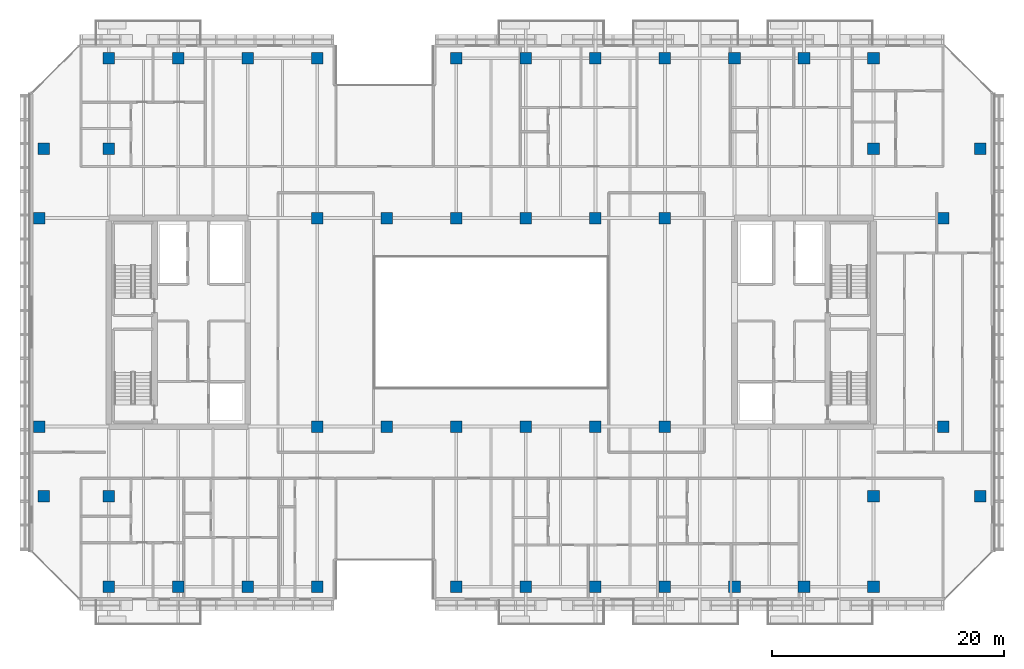
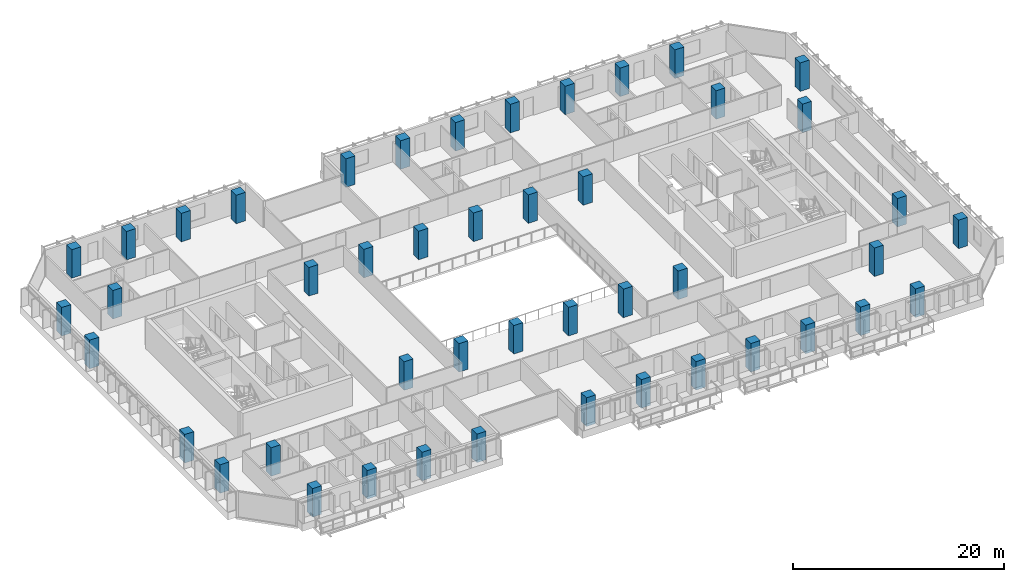
# One storey, part 1 of 35: 46 columns.
"""IFC4 building model written with IfcOpenShell, lengths in metres."""

from ifc_helpers import new_model, si_unit, direction, frame, origin, origin_2d, place, context, subcontext, project, spatial, rectangle, extrude, material, material_profile, profile_set, type_object, element, save


model = new_model("IFC4")

# Units and contexts
model_context = context("Model", 3, precision=1e-05, world=origin(), true_north=direction((0.0, 1.0)))
body_context = subcontext(model_context, "Body", "Model", "MODEL_VIEW")
ifc_project = project(units=[si_unit("LENGTHUNIT", "METRE"), si_unit("AREAUNIT", "SQUARE_METRE"), si_unit("VOLUMEUNIT", "CUBIC_METRE"), si_unit("PLANEANGLEUNIT", "RADIAN"), si_unit("MASSUNIT", "GRAM", prefix="KILO")], contexts=[model_context])

# Site, building, storey
site_placement = place(None, origin())
site = spatial("IfcSite", under=ifc_project, at=site_placement, CompositionType="ELEMENT")
building_placement = place(site_placement, origin())
building = spatial("IfcBuilding", under=site, at=building_placement, Name="Tanjung Sevakor Pilgrim Tower", CompositionType="ELEMENT")
storey_placement = place(building_placement, frame((0.0, 0.0, 92.070068359375)))
storey = spatial("IfcBuildingStorey", under=building, at=storey_placement, Name="L25", CompositionType="ELEMENT", Elevation=92.070068359375)

# Columns
ifc_material = material(Name="Concrete C60/75", Category="concrete")
ifc_material_profile = material_profile(ifc_material, rectangle(XDim=1.0, YDim=1.0, at=origin_2d()))
ifc_profile_set = profile_set([ifc_material_profile], Name="Concrete C60/75")
column_type = type_object("IfcColumnType", Name="COL-C-T1000-RC_1000x1000", PredefinedType="COLUMN", material=ifc_profile_set)
for number, where, z_axis, x_axis, name in (
    (1, (18.0, 24.60009765625, 0.0), (0.0, 0.0, 1.0), (1.0, 0.0, 0.0), "L25 Column SPW-018-246"),
    (2, (18.0, 42.60009765625, 0.0), (0.0, 0.0, 1.0), (1.0, 0.0, 0.0), "L25 Column SPW-018-426"),
    (3, (42.0, 24.60009765625, 0.0), (0.0, 0.0, 1.0), (1.0, 0.0, 0.0), "L25 Column SPW-042-246"),
    (4, (42.0, 42.60009765625, 0.0), (0.0, 0.0, 1.0), (1.0, 0.0, 0.0), "L25 Column SPW-042-426"),
    (5, (48.0, 24.60009765625, 0.0), (0.0, 0.0, 1.0), (1.0, 0.0, 0.0), "L25 Column SPW-048-246"),
    (6, (48.0, 42.60009765625, 0.0), (0.0, 0.0, 1.0), (1.0, 0.0, 0.0), "L25 Column SPW-048-426"),
    (7, (54.0, 24.60009765625, 0.0), (0.0, 0.0, 1.0), (1.0, 0.0, 0.0), "L25 Column SPE-054-246"),
    (8, (54.0, 42.60009765625, 0.0), (0.0, 0.0, 1.0), (1.0, 0.0, 0.0), "L25 Column SPE-054-426"),
    (9, (60.0, 24.60009765625, 0.0), (0.0, 0.0, 1.0), (1.0, 0.0, 0.0), "L25 Column SPE-060-246"),
    (10, (60.0, 42.60009765625, 0.0), (0.0, 0.0, 1.0), (1.0, 0.0, 0.0), "L25 Column SPE-060-426"),
    (11, (66.0, 24.60009765625, 0.0), (0.0, 0.0, 1.0), (1.0, 0.0, 0.0), "L25 Column SPE-066-246"),
    (12, (66.0, 42.60009765625, 0.0), (0.0, 0.0, 1.0), (1.0, 0.0, 0.0), "L25 Column SPE-066-426"),
    (13, (72.0, 24.60009765625, 0.0), (0.0, 0.0, 1.0), (1.0, 0.0, 0.0), "L25 Column SPE-072-246"),
    (14, (72.0, 42.60009765625, 0.0), (0.0, 0.0, 1.0), (1.0, 0.0, 0.0), "L25 Column SPE-072-426"),
    (15, (96.0, 24.60009765625, 0.0), (0.0, 0.0, 1.0), (1.0, 0.0, 0.0), "L25 Column SPE-096-246"),
    (16, (96.0, 42.60009765625, 0.0), (0.0, 0.0, 1.0), (1.0, 0.0, 0.0), "L25 Column SPE-096-426"),
    (17, (18.39990234375, 18.60009765625, 0.0), (0.0, 0.0, 1.0), (1.0, 0.0, 0.0), "L25 Column TCE-0184-186"),
    (18, (18.39990234375, 48.60009765625, 0.0), (0.0, 0.0, 1.0), (1.0, 0.0, 0.0), "L25 Column TCE-0184-486"),
    (19, (24.0, 18.60009765625, 0.0), (0.0, 0.0, 1.0), (1.0, 0.0, 0.0), "L25 Column TCE-0240-186"),
    (20, (24.0, 48.60009765625, 0.0), (0.0, 0.0, 1.0), (1.0, 0.0, 0.0), "L25 Column TCE-0240-486"),
    (21, (90.0, 18.60009765625, 0.0), (0.0, 0.0, 1.0), (1.0, 0.0, 0.0), "L25 Column TCE-0900-186"),
    (22, (90.0, 48.60009765625, 0.0), (0.0, 0.0, 1.0), (1.0, 0.0, 0.0), "L25 Column TCE-0900-486"),
    (23, (99.199951171875, 18.60009765625, 0.0), (0.0, 0.0, 1.0), (1.0, 0.0, 0.0), "L25 Column TCE-0992-186"),
    (24, (99.199951171875, 48.60009765625, 0.0), (0.0, 0.0, 1.0), (1.0, 0.0, 0.0), "L25 Column TCE-0992-486"),
    (25, (24.0, 10.800048828125, 0.0), (0.0, 0.0, 1.0), (1.0, 0.0, 0.0), "L25 Column TC2-024-108"),
    (26, (24.0, 56.39990234375, 0.0), (0.0, 0.0, 1.0), (1.0, 0.0, 0.0), "L25 Column TC2-024-564"),
    (27, (30.0, 10.800048828125, 0.0), (0.0, 0.0, 1.0), (1.0, 0.0, 0.0), "L25 Column TC2-030-108"),
    (28, (30.0, 56.39990234375, 0.0), (0.0, 0.0, 1.0), (1.0, 0.0, 0.0), "L25 Column TC2-030-564"),
    (29, (36.0, 10.800048828125, 0.0), (0.0, 0.0, 1.0), (1.0, 0.0, 0.0), "L25 Column TC2-036-108"),
    (30, (36.0, 56.39990234375, 0.0), (0.0, 0.0, 1.0), (1.0, 0.0, 0.0), "L25 Column TC2-036-564"),
    (31, (42.0, 10.800048828125, 0.0), (0.0, 0.0, 1.0), (1.0, 0.0, 0.0), "L25 Column TC2-042-108"),
    (32, (42.0, 56.39990234375, 0.0), (0.0, 0.0, 1.0), (1.0, 0.0, 0.0), "L25 Column TC2-042-564"),
    (33, (54.0, 10.800048828125, 0.0), (0.0, 0.0, 1.0), (1.0, 0.0, 0.0), "L25 Column TC2-054-108"),
    (34, (54.0, 56.39990234375, 0.0), (0.0, 0.0, 1.0), (1.0, 0.0, 0.0), "L25 Column TC2-054-564"),
    (35, (60.0, 10.800048828125, 0.0), (0.0, 0.0, 1.0), (1.0, 0.0, 0.0), "L25 Column TC2-060-108"),
    (36, (60.0, 56.39990234375, 0.0), (0.0, 0.0, 1.0), (1.0, 0.0, 0.0), "L25 Column TC2-060-564"),
    (37, (66.0, 10.800048828125, 0.0), (0.0, 0.0, 1.0), (1.0, 0.0, 0.0), "L25 Column TC2-066-108"),
    (38, (66.0, 56.39990234375, 0.0), (0.0, 0.0, 1.0), (1.0, 0.0, 0.0), "L25 Column TC2-066-564"),
    (39, (72.0, 10.800048828125, 0.0), (0.0, 0.0, 1.0), (1.0, 0.0, 0.0), "L25 Column TC2-072-108"),
    (40, (72.0, 56.39990234375, 0.0), (0.0, 0.0, 1.0), (1.0, 0.0, 0.0), "L25 Column TC2-072-564"),
    (41, (78.0, 10.800048828125, 0.0), (0.0, 0.0, 1.0), (1.0, 0.0, 0.0), "L25 Column TC2-078-108"),
    (42, (78.0, 56.39990234375, 0.0), (0.0, 0.0, 1.0), (1.0, 0.0, 0.0), "L25 Column TC2-078-564"),
    (43, (84.0, 10.800048828125, 0.0), (0.0, 0.0, 1.0), (1.0, 0.0, 0.0), "L25 Column TC2-084-108"),
    (44, (84.0, 56.39990234375, 0.0), (0.0, 0.0, 1.0), (1.0, 0.0, 0.0), "L25 Column TC2-084-564"),
    (45, (90.0, 10.800048828125, 0.0), (0.0, 0.0, 1.0), (1.0, 0.0, 0.0), "L25 Column TC2-090-108"),
    (46, (90.0, 56.39990234375, 0.0), (0.0, 0.0, 1.0), (1.0, 0.0, 0.0), "L25 Column TC2-090-564"),
):
    element("IfcColumn", number, at=place(storey_placement, frame(where, z_axis=z_axis, x_axis=x_axis)), inside=storey, type_object=column_type, Name=name, PredefinedType="COLUMN", context=body_context, shape_type="SweptSolid", body=[
        extrude(rectangle(XDim=1.0, YDim=1.0, at=origin_2d()), origin(), (0.0, 0.0, 1.0), 3.300048828125),
    ])

save(model, "model.ifc")
